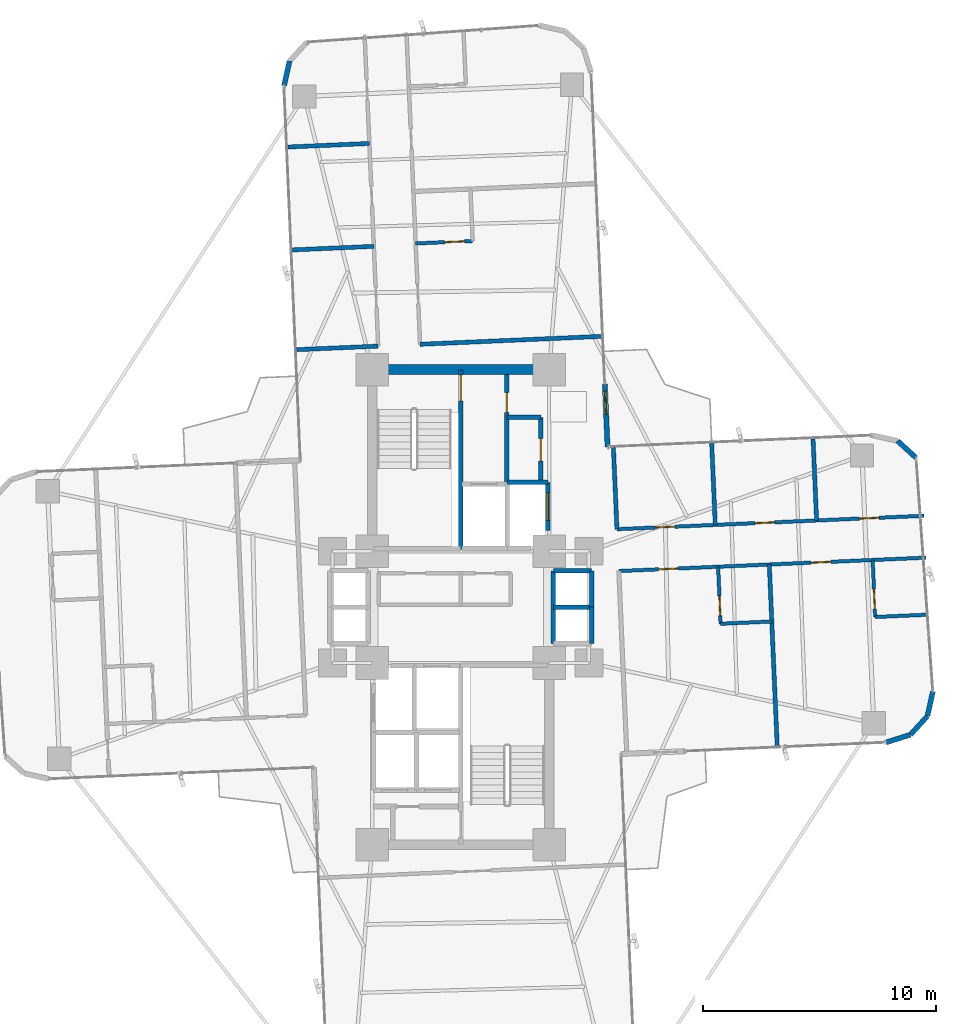
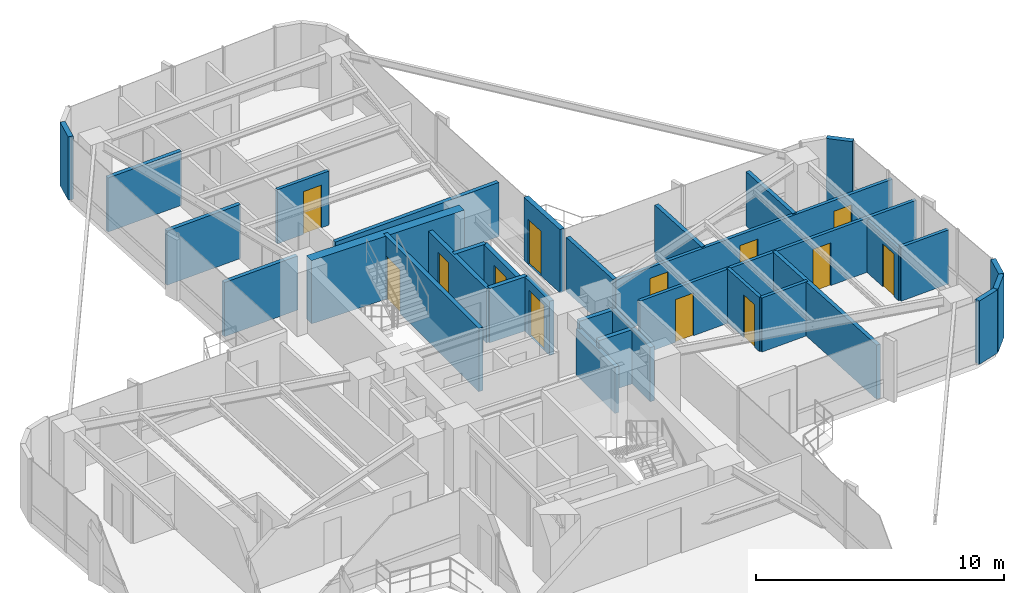
# One storey, part 24 of 26: 33 walls, 13 doors, 13 openings.
"""IFC4 building model written with IfcOpenShell, lengths in metres."""

from ifc_helpers import new_model, si_unit, direction, frame, frame_2d, origin, origin_2d, place, context, subcontext, project, spatial, rectangle, extrude, source, transform, mapped, material, layer, layer_set, type_object, element, fill, save


model = new_model("IFC4")

# Units and contexts
model_context = context("Model", 3, precision=1e-05, world=origin(), true_north=direction((0.0, 1.0)))
body_context = subcontext(model_context, "Body", "Model", "MODEL_VIEW")
ifc_project = project(units=[si_unit("LENGTHUNIT", "METRE"), si_unit("AREAUNIT", "SQUARE_METRE"), si_unit("VOLUMEUNIT", "CUBIC_METRE"), si_unit("PLANEANGLEUNIT", "RADIAN"), si_unit("MASSUNIT", "GRAM", prefix="KILO")], contexts=[model_context])

# Site, building, storey
site_placement = place(None, origin())
site = spatial("IfcSite", under=ifc_project, at=site_placement, CompositionType="ELEMENT")
building_placement = place(site_placement, origin())
building = spatial("IfcBuilding", under=site, at=building_placement, Name="Sahyath Konkavel Grand Hotel", CompositionType="ELEMENT")
storey_placement = place(building_placement, frame((0.0, 0.0, 83.5)))
storey = spatial("IfcBuildingStorey", under=building, at=storey_placement, Name="L22", CompositionType="ELEMENT", Elevation=83.5)

# Walls
ifc_material_1 = material(Name="Concrete C50/60", Category="concrete")
ifc_layer_1 = layer(ifc_material_1, 0.419921875)
ifc_layer_set_1 = layer_set([ifc_layer_1], Name="Concrete C50/60")
wall_type_1 = type_object("IfcWallType", Name="CWALL-420", PredefinedType="SHEAR", material=ifc_layer_set_1)
wall_1_placement = place(storey_placement, frame((-3.550048828125, 10.199951171875, 0.0), z_axis=(0.0, 0.0, 1.0), x_axis=(1.0, 0.0, 0.0)))
element("IfcWall", 1, at=wall_1_placement, inside=storey, type_object=wall_type_1, Name="L22 North Core Shear Wall N", PredefinedType="SHEAR", context=body_context, shape_type="SweptSolid", body=[
    extrude(rectangle(XDim=7.10009765625, YDim=0.419921875, at=frame_2d((3.550048828125, 0.0))), origin(), (0.0, 0.0, 1.0), 3.110107421875),
])
ifc_material_2 = material(Name="Warm Buff Sandstone Insulated Concrete C40/50", Category="masonry")
ifc_layer_2 = layer(ifc_material_2, 0.219970703125)
ifc_layer_set_2 = layer_set([ifc_layer_2], Name="Warm Buff Sandstone Insulated Concrete C40/50")
wall_type_2 = type_object("IfcWallType", Name="WLL-BALC-THRESH", PredefinedType="STANDARD", material=ifc_layer_set_2)
for number, where, z_axis, x_axis, name in (
    (2, (18.270751953125, -5.80859375, 0.0), (0.0, 0.0, 1.0), (0.953721713582, 0.30069069331, 0.0), "L22 Rounded Corner Sandstone Pier 1"),
    (3, (19.3076171875, -5.481689453125, 0.0), (0.0, 0.0, 1.0), (0.675551721847, 0.737312600672, 0.0), "L22 Rounded Corner Sandstone Pier 2"),
):
    element("IfcWall", number, at=place(storey_placement, frame(where, z_axis=z_axis, x_axis=x_axis)), inside=storey, type_object=wall_type_2, Name=name, PredefinedType="STANDARD", context=body_context, shape_type="SweptSolid", body=[
        extrude(rectangle(XDim=1.087158203125, YDim=0.219970703125, at=frame_2d((0.54345703125, 0.0))), origin(), (0.0, 0.0, 1.0), 3.110107421875),
    ])
for number, where, z_axis, x_axis, name in (
    (4, (20.0419921875, -4.68017578125, 0.0), (0.0, 0.0, 1.0), (0.216288323511, 0.976329535102, 0.0), "L22 Rounded Corner Sandstone Pier 3"),
    (5, (19.5576171875, 6.4091796875, 0.0), (0.0, 0.0, 1.0), (-0.737210081318, 0.675663596772, 0.0), "L22 Rounded Corner Sandstone Pier 5"),
):
    element("IfcWall", number, at=place(storey_placement, frame(where, z_axis=z_axis, x_axis=x_axis)), inside=storey, type_object=wall_type_2, Name=name, PredefinedType="STANDARD", context=body_context, shape_type="SweptSolid", body=[
        extrude(rectangle(XDim=1.0869140625, YDim=0.219970703125, at=frame_2d((0.54345703125, 0.0))), origin(), (0.0, 0.0, 1.0), 3.110107421875),
    ])

# Wall, opening, door
wall_2_placement = place(storey_placement, frame((6.305908203125, 6.881591796875, 0.0), z_axis=(0.0, 0.0, 1.0), x_axis=(-0.043672655174, 0.999045894436, 0.0)))
wall_2 = element("IfcWall", 6, at=wall_2_placement, inside=storey, type_object=wall_type_2, Name="L22 Winter-Garden Threshold Wall 8", PredefinedType="STANDARD", context=body_context, shape_type="SweptSolid", body=[
    extrude(rectangle(XDim=2.7001953125, YDim=0.219970703125, at=frame_2d((1.35009765625, 0.0))), origin(), (0.0, 0.0, 1.0), 3.110107421875),
])
opening_1_placement = place(wall_2_placement, frame((1.39990234375, 0.0, 0.0)))
opening_1 = element("IfcOpeningElement", 7, at=opening_1_placement, cuts=wall_2, Name="Opening D-TR1", PredefinedType="OPENING", context=body_context, shape_type="SweptSolid", body=[
    extrude(rectangle(XDim=1.0, YDim=2.199951171875, at=frame_2d((0.5, 1.10009765625))), frame((0.0, 0.1201171875, 0.0), z_axis=(0.0, -1.0, 0.0), x_axis=(1.0, 0.0, 0.0)), (0.0, 0.0, 1.0), 0.239990234375),
])
ifc_material_3 = material(Name="Anodised Bronze Aluminium & Low-E Glazing", Category="aluminium")
door_type_1 = type_object("IfcDoorType", Name="DR-TERRACE-1000", OperationType="NOTDEFINED", PredefinedType="DOOR", material=ifc_material_3)
shared_shape_1 = source(origin(), body_context, "Body", "SweptSolid", [
    extrude(rectangle(XDim=1.0, YDim=0.050048828125, at=origin_2d()), origin(), (0.0, 0.0, 1.0), 2.199951171875),
])
door_1_placement = place(opening_1_placement, frame((0.5, 0.0, 0.0)))
door_1 = element("IfcDoor", 8, at=door_1_placement, inside=storey, type_object=door_type_1, Name="L22 Winter-Garden Terrace Door 8", OperationType="SINGLE_SWING_LEFT", OverallHeight=2.199951171875, OverallWidth=1.0, PredefinedType="DOOR", context=body_context, shape_type="MappedRepresentation", body=[
    mapped(shared_shape_1, transform((0.0, 0.0, 0.0), scale=1.0)),
])
fill(opening_1, door_1)

# Wall
wall_3_placement = place(storey_placement, frame((-7.3486328125, 23.451904296875, 0.0), z_axis=(0.0, 0.0, 1.0), x_axis=(-0.216454939174, -0.976292609471, 0.0)))
element("IfcWall", 9, at=wall_3_placement, inside=storey, type_object=wall_type_2, Name="L22 Rounded Corner Sandstone Pier 14", PredefinedType="STANDARD", context=body_context, shape_type="SweptSolid", body=[
    extrude(rectangle(XDim=1.08740234375, YDim=0.219970703125, at=frame_2d((0.543701171875, 0.0))), origin(), (0.0, 0.0, 1.0), 3.110107421875),
])

# Wall, opening, door
ifc_material_4 = material(Name="Concrete C40/50", Category="concrete")
ifc_layer_3 = layer(ifc_material_4, 0.199951171875)
ifc_layer_set_3 = layer_set([ifc_layer_3], Name="Concrete C40/50")
wall_type_3 = type_object("IfcWallType", Name="WLL-CORE-200", PredefinedType="SOLIDWALL", material=ifc_layer_set_3)
wall_4_placement = place(storey_placement, frame((0.0, 2.5, 0.0), z_axis=(0.0, 0.0, 1.0), x_axis=(0.0, 1.0, 0.0)))
wall_4 = element("IfcWall", 10, at=wall_4_placement, inside=storey, type_object=wall_type_3, Name="L22 Stair ST-1 Shaft Wall E", PredefinedType="SOLIDWALL", context=body_context, shape_type="SweptSolid", body=[
    extrude(rectangle(XDim=7.679931640625, YDim=0.199951171875, at=frame_2d((3.83984375, 0.0))), origin(), (0.0, 0.0, 1.0), 3.110107421875),
])
opening_2_placement = place(wall_4_placement, frame((6.360107421875, 0.0, 0.0)))
opening_2 = element("IfcOpeningElement", 11, at=opening_2_placement, cuts=wall_4, Name="Opening D-F12B", PredefinedType="OPENING", context=body_context, shape_type="SweptSolid", body=[
    extrude(rectangle(XDim=1.10009765625, YDim=2.14990234375, at=frame_2d((0.550048828125, 1.074951171875))), frame((0.0, 0.10986328125, 0.0), z_axis=(0.0, -1.0, 0.0), x_axis=(1.0, 0.0, 0.0)), (0.0, 0.0, 1.0), 0.219970703125),
])
ifc_material_5 = material(Name="Steel E350 Smokeproof Fire Door", Category="steel")
door_type_2 = type_object("IfcDoorType", Name="DR-FD120-1100", OperationType="NOTDEFINED", PredefinedType="DOOR", material=ifc_material_5)
shared_shape_2 = source(origin(), body_context, "Body", "SweptSolid", [
    extrude(rectangle(XDim=1.10009765625, YDim=0.050048828125, at=origin_2d()), origin(), (0.0, 0.0, 1.0), 2.14990234375),
])
door_2_placement = place(opening_2_placement, frame((0.550048828125, 0.0, 0.0)))
door_2 = element("IfcDoor", 12, at=door_2_placement, inside=storey, type_object=door_type_2, Name="L22 Stair ST-1 Fire Door", OperationType="SINGLE_SWING_RIGHT", OverallHeight=2.14990234375, OverallWidth=1.10009765625, PredefinedType="DOOR", context=body_context, shape_type="MappedRepresentation", body=[
    mapped(shared_shape_2, transform((0.0, 0.0, 0.0), scale=1.0)),
])
fill(opening_2, door_2)

wall_5_placement = place(storey_placement, frame((1.97998046875, 5.320068359375, 0.0), z_axis=(0.0, 0.0, 1.0), x_axis=(0.0, 1.0, 0.0)))
wall_5 = element("IfcWall", 13, at=wall_5_placement, inside=storey, type_object=wall_type_3, Name="L22 North Firefighting Lobby Wall E", PredefinedType="SOLIDWALL", context=body_context, shape_type="SweptSolid", body=[
    extrude(rectangle(XDim=4.659912109375, YDim=0.199951171875, at=frame_2d((2.330078125, 0.0))), origin(), (0.0, 0.0, 1.0), 2.659912109375),
])
opening_3_placement = place(wall_5_placement, frame((3.0400390625, 0.0, 0.0)))
opening_3 = element("IfcOpeningElement", 14, at=opening_3_placement, cuts=wall_5, Name="Opening D-F12D", PredefinedType="OPENING", context=body_context, shape_type="SweptSolid", body=[
    extrude(rectangle(XDim=0.85009765625, YDim=2.10009765625, at=frame_2d((0.425048828125, 1.050048828125))), frame((0.0, 0.10986328125, 0.0), z_axis=(0.0, -1.0, 0.0), x_axis=(1.0, 0.0, 0.0)), (0.0, 0.0, 1.0), 0.219970703125),
])
ifc_material_6 = material(Name="Steel E350 Core Fire Door", Category="steel")
door_type_3 = type_object("IfcDoorType", Name="DR-FD120-850", OperationType="NOTDEFINED", PredefinedType="DOOR", material=ifc_material_6)
shared_shape_3 = source(origin(), body_context, "Body", "SweptSolid", [
    extrude(rectangle(XDim=0.85009765625, YDim=0.050048828125, at=origin_2d()), origin(), (0.0, 0.0, 1.0), 2.10009765625),
])
door_3_placement = place(opening_3_placement, frame((0.425048828125, 0.0, 0.0)))
door_3 = element("IfcDoor", 15, at=door_3_placement, inside=storey, type_object=door_type_3, Name="L22 North Firefighting Lobby Door", OperationType="SINGLE_SWING_RIGHT", OverallHeight=2.10009765625, OverallWidth=0.85009765625, PredefinedType="DOOR", context=body_context, shape_type="MappedRepresentation", body=[
    mapped(shared_shape_3, transform((0.0, 0.0, 0.0), scale=1.0)),
])
fill(opening_3, door_3)

# Wall
wall_6_placement = place(storey_placement, frame((2.0, 5.360107421875, 0.0), z_axis=(0.0, 0.0, 1.0), x_axis=(1.0, 0.0, 0.0)))
element("IfcWall", 16, at=wall_6_placement, inside=storey, type_object=wall_type_3, Name="L22 Partition SH-SVL1-N", PredefinedType="SOLIDWALL", context=body_context, shape_type="SweptSolid", body=[
    extrude(rectangle(XDim=1.739990234375, YDim=0.199951171875, at=frame_2d((0.8701171875, 0.0))), origin(), (0.0, 0.0, 1.0), 2.659912109375),
])

# Wall, opening, door
wall_7_placement = place(storey_placement, frame((3.739990234375, 3.280029296875, 0.0), z_axis=(0.0, 0.0, 1.0), x_axis=(0.0, 1.0, 0.0)))
wall_7 = element("IfcWall", 17, at=wall_7_placement, inside=storey, type_object=wall_type_3, Name="L22 Partition SH-SVL1-E", PredefinedType="SOLIDWALL", context=body_context, shape_type="SweptSolid", body=[
    extrude(rectangle(XDim=2.080078125, YDim=0.199951171875, at=frame_2d((1.0400390625, 0.0))), origin(), (0.0, 0.0, 1.0), 2.659912109375),
])
opening_4_placement = place(wall_7_placement, frame((0.43994140625, 0.0, 0.0)))
opening_4 = element("IfcOpeningElement", 18, at=opening_4_placement, cuts=wall_7, Name="Opening LD-12", PredefinedType="OPENING", context=body_context, shape_type="SweptSolid", body=[
    extrude(rectangle(XDim=1.199951171875, YDim=2.199951171875, at=frame_2d((0.60009765625, 1.10009765625))), frame((0.0, 0.10986328125, 0.0), z_axis=(0.0, -1.0, 0.0), x_axis=(1.0, 0.0, 0.0)), (0.0, 0.0, 1.0), 0.219970703125),
])
ifc_material_7 = material(Name="Stainless Steel Lift Landing Door 1200", Category="steel")
door_type_4 = type_object("IfcDoorType", Name="DR-LIFT-1200", OperationType="DOUBLE_DOOR_SLIDING", PredefinedType="DOOR", material=ifc_material_7)
shared_shape_4 = source(origin(), body_context, "Body", "SweptSolid", [
    extrude(rectangle(XDim=1.199951171875, YDim=0.050048828125, at=origin_2d()), origin(), (0.0, 0.0, 1.0), 2.199951171875),
])
door_4_placement = place(opening_4_placement, frame((0.60009765625, 0.0, 0.0)))
door_4 = element("IfcDoor", 19, at=door_4_placement, inside=storey, type_object=door_type_4, Name="L22 Service Lift SVL-1 Landing Door", OperationType="DOUBLE_DOOR_SLIDING", OverallHeight=2.199951171875, OverallWidth=1.199951171875, PredefinedType="DOOR", context=body_context, shape_type="MappedRepresentation", body=[
    mapped(shared_shape_4, transform((0.0, 0.0, 0.0), scale=1.0)),
])
fill(opening_4, door_4)

# Walls
wall_8_placement = place(storey_placement, frame((3.97998046875, -1.56005859375, 0.0), z_axis=(0.0, 0.0, 1.0), x_axis=(0.0, 1.0, 0.0)))
element("IfcWall", 20, at=wall_8_placement, inside=storey, type_object=wall_type_3, Name="L22 Partition SH-PL56-W", PredefinedType="SOLIDWALL", context=body_context, shape_type="SweptSolid", body=[
    extrude(rectangle(XDim=3.1201171875, YDim=0.199951171875, at=frame_2d((1.56005859375, 0.0))), origin(), (0.0, 0.0, 1.0), 2.280029296875),
])
for number, where, z_axis, x_axis, name in (
    (21, (3.97998046875, 1.56005859375, 0.0), (0.0, 0.0, 1.0), (1.0, 0.0, 0.0), "L22 Partition SH-PL56-N"),
    (22, (3.97998046875, 0.0, 0.0), (0.0, 0.0, 1.0), (1.0, 0.0, 0.0), "L22 Partition SH-PL56-M"),
):
    element("IfcWall", number, at=place(storey_placement, frame(where, z_axis=z_axis, x_axis=x_axis)), inside=storey, type_object=wall_type_3, Name=name, PredefinedType="SOLIDWALL", context=body_context, shape_type="SweptSolid", body=[
        extrude(rectangle(XDim=1.64013671875, YDim=0.199951171875, at=frame_2d((0.820068359375, 0.0))), origin(), (0.0, 0.0, 1.0), 2.659912109375),
    ])
for number, where, z_axis, x_axis, name in (
    (23, (5.6201171875, 0.0, 0.0), (0.0, 0.0, 1.0), (0.0, 1.0, 0.0), "L22 Partition SH-PL5-E"),
    (24, (5.6201171875, -1.56005859375, 0.0), (0.0, 0.0, 1.0), (0.0, 1.0, 0.0), "L22 Partition SH-PL6-E"),
):
    element("IfcWall", number, at=place(storey_placement, frame(where, z_axis=z_axis, x_axis=x_axis)), inside=storey, type_object=wall_type_3, Name=name, PredefinedType="SOLIDWALL", context=body_context, shape_type="SweptSolid", body=[
        extrude(rectangle(XDim=1.56005859375, YDim=0.199951171875, at=frame_2d((0.780029296875, 0.0))), origin(), (0.0, 0.0, 1.0), 2.659912109375),
    ])

# Wall, opening, door
wall_9_placement = place(storey_placement, frame((3.43994140625, 5.3798828125, 0.0), z_axis=(0.0, 0.0, 1.0), x_axis=(0.0, 1.0, 0.0)))
wall_9 = element("IfcWall", 25, at=wall_9_placement, inside=storey, type_object=wall_type_3, Name="L22 Reclaimed North Core Wall E", PredefinedType="SOLIDWALL", context=body_context, shape_type="SweptSolid", body=[
    extrude(rectangle(XDim=2.77001953125, YDim=0.199951171875, at=frame_2d((1.385009765625, 0.0))), origin(), (0.0, 0.0, 1.0), 2.659912109375),
])
opening_5_placement = place(wall_9_placement, frame((0.89990234375, 0.0, 0.0)))
opening_5 = element("IfcOpeningElement", 26, at=opening_5_placement, cuts=wall_9, Name="Opening D-F06B", PredefinedType="OPENING", context=body_context, shape_type="SweptSolid", body=[
    extrude(rectangle(XDim=0.949951171875, YDim=2.14990234375, at=frame_2d((0.47509765625, 1.074951171875))), frame((0.0, 0.10986328125, 0.0), z_axis=(0.0, -1.0, 0.0), x_axis=(1.0, 0.0, 0.0)), (0.0, 0.0, 1.0), 0.219970703125),
])
ifc_material_8 = material(Name="Teak Veneer Fire-Rated Guest Entrance Door")
door_type_5 = type_object("IfcDoorType", Name="DR-FD60-950", OperationType="NOTDEFINED", PredefinedType="DOOR", material=ifc_material_8)
shared_shape_5 = source(origin(), body_context, "Body", "SweptSolid", [
    extrude(rectangle(XDim=0.949951171875, YDim=0.050048828125, at=origin_2d()), origin(), (0.0, 0.0, 1.0), 2.14990234375),
])
door_5_placement = place(opening_5_placement, frame((0.47509765625, 0.0, 0.0)))
door_5 = element("IfcDoor", 27, at=door_5_placement, inside=storey, type_object=door_type_5, Name="L22 Door NC-REC1-D", OperationType="SINGLE_SWING_LEFT", OverallHeight=2.14990234375, OverallWidth=0.949951171875, PredefinedType="DOOR", context=body_context, shape_type="MappedRepresentation", body=[
    mapped(shared_shape_5, transform((0.0, 0.0, 0.0), scale=1.0)),
])
fill(opening_5, door_5)

# Walls
wall_10_placement = place(storey_placement, frame((1.97998046875, 8.14990234375, 0.0), z_axis=(0.0, 0.0, 1.0), x_axis=(1.0, 0.0, 0.0)))
element("IfcWall", 28, at=wall_10_placement, inside=storey, type_object=wall_type_3, Name="L22 Partition NC-REC-N", PredefinedType="SOLIDWALL", context=body_context, shape_type="SweptSolid", body=[
    extrude(rectangle(XDim=1.4599609375, YDim=0.199951171875, at=frame_2d((0.72998046875, 0.0))), origin(), (0.0, 0.0, 1.0), 2.659912109375),
])
ifc_material_9 = material(Name="Twin-Stud Acoustic Gypsum Plasterboard Partition")
ifc_layer_4 = layer(ifc_material_9, 0.179931640625)
ifc_layer_set_4 = layer_set([ifc_layer_4], Name="Twin-Stud Acoustic Gypsum Plasterboard Partition")
wall_type_4 = type_object("IfcWallType", Name="WLL-DEMISE-180", PredefinedType="PARTITIONING", material=ifc_layer_set_4)
wall_11_placement = place(storey_placement, frame((6.71044921875, 3.345947265625, 0.0), z_axis=(0.0, 0.0, 1.0), x_axis=(-0.043597663116, 0.999049169846, 0.0)))
element("IfcWall", 29, at=wall_11_placement, inside=storey, type_object=wall_type_4, Name="L22 Partition E-INL", PredefinedType="PARTITIONING", context=body_context, shape_type="SweptSolid", body=[
    extrude(rectangle(XDim=3.5, YDim=0.179931640625, at=frame_2d((1.75, 0.0))), origin(), (0.0, 0.0, 1.0), 2.659912109375),
])
wall_12_placement = place(storey_placement, frame((10.930419921875, 3.530029296875, 0.0), z_axis=(0.0, 0.0, 1.0), x_axis=(-0.04359462501, 0.999049302422, 0.0)))
element("IfcWall", 30, at=wall_12_placement, inside=storey, type_object=wall_type_4, Name="L22 Partition E-E1L-DEM", PredefinedType="PARTITIONING", context=body_context, shape_type="SweptSolid", body=[
    extrude(rectangle(XDim=3.500244140625, YDim=0.179931640625, at=frame_2d((1.75, 0.0))), origin(), (0.0, 0.0, 1.0), 2.659912109375),
])
wall_13_placement = place(storey_placement, frame((15.2822265625, 3.72021484375, 0.0), z_axis=(0.0, 0.0, 1.0), x_axis=(-0.043597663116, 0.999049169846, 0.0)))
element("IfcWall", 31, at=wall_13_placement, inside=storey, type_object=wall_type_4, Name="L22 Partition E-E2L-DEM", PredefinedType="PARTITIONING", context=body_context, shape_type="SweptSolid", body=[
    extrude(rectangle(XDim=3.5, YDim=0.179931640625, at=frame_2d((1.75, 0.0))), origin(), (0.0, 0.0, 1.0), 2.659912109375),
])
wall_14_placement = place(storey_placement, frame((13.250732421875, 1.82958984375, 0.0), z_axis=(0.0, 0.0, 1.0), x_axis=(0.043632821702, -0.999047634936, 0.0)))
element("IfcWall", 32, at=wall_14_placement, inside=storey, type_object=wall_type_4, Name="L22 Partition E-E1R-DEM", PredefinedType="PARTITIONING", context=body_context, shape_type="SweptSolid", body=[
    extrude(rectangle(XDim=7.7998046875, YDim=0.179931640625, at=frame_2d((3.89990234375, 0.0))), origin(), (0.0, 0.0, 1.0), 2.659912109375),
])
wall_15_placement = place(storey_placement, frame((-3.542236328125, 11.206298828125, 0.0), z_axis=(0.0, 0.0, 1.0), x_axis=(-0.999046129111, -0.04366728647, 0.0)))
element("IfcWall", 33, at=wall_15_placement, inside=storey, type_object=wall_type_4, Name="L22 Partition N-INL", PredefinedType="PARTITIONING", context=body_context, shape_type="SweptSolid", body=[
    extrude(rectangle(XDim=3.5, YDim=0.179931640625, at=frame_2d((1.75, 0.0))), origin(), (0.0, 0.0, 1.0), 2.659912109375),
])
wall_16_placement = place(storey_placement, frame((6.048583984375, 11.625, 0.0), z_axis=(0.0, 0.0, 1.0), x_axis=(-0.999047634936, -0.043632821702, 0.0)))
element("IfcWall", 34, at=wall_16_placement, inside=storey, type_object=wall_type_4, Name="L22 Partition N-INR", PredefinedType="PARTITIONING", context=body_context, shape_type="SweptSolid", body=[
    extrude(rectangle(XDim=7.7998046875, YDim=0.179931640625, at=frame_2d((3.89990234375, 0.0))), origin(), (0.0, 0.0, 1.0), 2.659912109375),
])
for number, where, z_axis, x_axis, name in (
    (35, (-3.729248046875, 15.489990234375, 0.0), (0.0, 0.0, 1.0), (-0.999049169846, -0.043597663116, 0.0), "L22 Partition N-N1L-DEM"),
    (36, (-3.922119140625, 19.907958984375, 0.0), (0.0, 0.0, 1.0), (-0.999046129111, -0.04366728647, 0.0), "L22 Partition N-N2L-DEM"),
):
    element("IfcWall", number, at=place(storey_placement, frame(where, z_axis=z_axis, x_axis=x_axis)), inside=storey, type_object=wall_type_4, Name=name, PredefinedType="PARTITIONING", context=body_context, shape_type="SweptSolid", body=[
        extrude(rectangle(XDim=3.5, YDim=0.179931640625, at=frame_2d((1.75, 0.0))), origin(), (0.0, 0.0, 1.0), 2.659912109375),
    ])

# Wall, openings, doors
ifc_material_10 = material(Name="Fire-Rated Gypsum Plasterboard Partition")
ifc_layer_5 = layer(ifc_material_10, 0.14990234375)
ifc_layer_set_5 = layer_set([ifc_layer_5], Name="Fire-Rated Gypsum Plasterboard Partition")
wall_type_5 = type_object("IfcWallType", Name="WLL-PART-150", PredefinedType="PARTITIONING", material=ifc_layer_set_5)
wall_17_placement = place(storey_placement, frame((6.71044921875, 3.345947265625, 0.0), z_axis=(0.0, 0.0, 1.0), x_axis=(0.999048535483, 0.04361219725, 0.0)))
wall_17 = element("IfcWall", 37, at=wall_17_placement, inside=storey, type_object=wall_type_5, Name="L22 Partition E-CL", PredefinedType="PARTITIONING", context=body_context, shape_type="SweptSolid", body=[
    extrude(rectangle(XDim=13.199951171875, YDim=0.14990234375, at=frame_2d((6.60009765625, 0.0))), origin(), (0.0, 0.0, 1.0), 2.6298828125),
])
opening_6_placement = place(wall_17_placement, frame((1.636962890625, 0.0, 0.0)))
opening_6 = element("IfcOpeningElement", 38, at=opening_6_placement, cuts=wall_17, Name="Opening D-F06D", PredefinedType="OPENING", context=body_context, shape_type="SweptSolid", body=[
    extrude(rectangle(XDim=0.85009765625, YDim=2.10009765625, at=frame_2d((0.425048828125, 1.050048828125))), frame((0.0, 0.0849609375, 0.0), z_axis=(0.0, -1.0, 0.0), x_axis=(1.0, 0.0, 0.0)), (0.0, 0.0, 1.0), 0.169921875),
])
opening_7_placement = place(wall_17_placement, frame((5.927001953125, 0.0, 0.0)))
opening_7 = element("IfcOpeningElement", 39, at=opening_7_placement, cuts=wall_17, Name="Opening D-F06D", PredefinedType="OPENING", context=body_context, shape_type="SweptSolid", body=[
    extrude(rectangle(XDim=0.85009765625, YDim=2.10009765625, at=frame_2d((0.425048828125, 1.050048828125))), frame((0.0, 0.0849609375, 0.0), z_axis=(0.0, -1.0, 0.0), x_axis=(1.0, 0.0, 0.0)), (0.0, 0.0, 1.0), 0.169921875),
])
opening_8_placement = place(wall_17_placement, frame((10.4150390625, 0.0, 0.0)))
opening_8 = element("IfcOpeningElement", 40, at=opening_8_placement, cuts=wall_17, Name="Opening D-F06D", PredefinedType="OPENING", context=body_context, shape_type="SweptSolid", body=[
    extrude(rectangle(XDim=0.85009765625, YDim=2.10009765625, at=frame_2d((0.425048828125, 1.050048828125))), frame((0.0, 0.0849609375, 0.0), z_axis=(0.0, -1.0, 0.0), x_axis=(1.0, 0.0, 0.0)), (0.0, 0.0, 1.0), 0.169921875),
])
ifc_material_11 = material(Name="Fire-Rated Shaft Access Door")
door_type_6 = type_object("IfcDoorType", Name="DR-FD60-850", OperationType="NOTDEFINED", PredefinedType="DOOR", material=ifc_material_11)
door_6_placement = place(opening_6_placement, frame((0.425048828125, 0.0, 0.0)))
door_6 = element("IfcDoor", 41, at=door_6_placement, inside=storey, type_object=door_type_6, Name="L22 Door E-E1L-D", OperationType="SINGLE_SWING_RIGHT", OverallHeight=2.10009765625, OverallWidth=0.85009765625, PredefinedType="DOOR", context=body_context, shape_type="MappedRepresentation", body=[
    mapped(shared_shape_3, transform((0.0, 0.0, 0.0), scale=1.0)),
])
fill(opening_6, door_6)
door_7_placement = place(opening_7_placement, frame((0.425048828125, 0.0, 0.0)))
door_7 = element("IfcDoor", 42, at=door_7_placement, inside=storey, type_object=door_type_6, Name="L22 Door E-E2L-D", OperationType="SINGLE_SWING_LEFT", OverallHeight=2.10009765625, OverallWidth=0.85009765625, PredefinedType="DOOR", context=body_context, shape_type="MappedRepresentation", body=[
    mapped(shared_shape_3, transform((0.0, 0.0, 0.0), scale=1.0)),
])
fill(opening_7, door_7)
door_8_placement = place(opening_8_placement, frame((0.425048828125, 0.0, 0.0)))
door_8 = element("IfcDoor", 43, at=door_8_placement, inside=storey, type_object=door_type_6, Name="L22 Door E-E3L-D", OperationType="SINGLE_SWING_RIGHT", OverallHeight=2.10009765625, OverallWidth=0.85009765625, PredefinedType="DOOR", context=body_context, shape_type="MappedRepresentation", body=[
    mapped(shared_shape_3, transform((0.0, 0.0, 0.0), scale=1.0)),
])
fill(opening_8, door_8)

wall_18_placement = place(storey_placement, frame((6.7890625, 1.547607421875, 0.0), z_axis=(0.0, 0.0, 1.0), x_axis=(0.999048500303, 0.043613003123, 0.0)))
wall_18 = element("IfcWall", 44, at=wall_18_placement, inside=storey, type_object=wall_type_5, Name="L22 Partition E-CR", PredefinedType="PARTITIONING", context=body_context, shape_type="SweptSolid", body=[
    extrude(rectangle(XDim=13.19970703125, YDim=0.14990234375, at=frame_2d((6.599853515625, 0.0))), origin(), (0.0, 0.0, 1.0), 2.659912109375),
])
opening_9_placement = place(wall_18_placement, frame((1.7099609375, 0.0, 0.0)))
opening_9 = element("IfcOpeningElement", 45, at=opening_9_placement, cuts=wall_18, Name="Opening D-F06D", PredefinedType="OPENING", context=body_context, shape_type="SweptSolid", body=[
    extrude(rectangle(XDim=0.85009765625, YDim=2.10009765625, at=frame_2d((0.425048828125, 1.050048828125))), frame((0.0, 0.0849609375, 0.0), z_axis=(0.0, -1.0, 0.0), x_axis=(1.0, 0.0, 0.0)), (0.0, 0.0, 1.0), 0.169921875),
])
opening_10_placement = place(wall_18_placement, frame((8.263916015625, 0.0, 0.0)))
opening_10 = element("IfcOpeningElement", 46, at=opening_10_placement, cuts=wall_18, Name="Opening D-F06D", PredefinedType="OPENING", context=body_context, shape_type="SweptSolid", body=[
    extrude(rectangle(XDim=0.85009765625, YDim=2.10009765625, at=frame_2d((0.425048828125, 1.050048828125))), frame((0.0, 0.0849609375, 0.0), z_axis=(0.0, -1.0, 0.0), x_axis=(1.0, 0.0, 0.0)), (0.0, 0.0, 1.0), 0.169921875),
])
door_9_placement = place(opening_9_placement, frame((0.425048828125, 0.0, 0.0)))
door_9 = element("IfcDoor", 47, at=door_9_placement, inside=storey, type_object=door_type_6, Name="L22 Door E-E1R-ED", OperationType="SINGLE_SWING_RIGHT", OverallHeight=2.10009765625, OverallWidth=0.85009765625, PredefinedType="DOOR", context=body_context, shape_type="MappedRepresentation", body=[
    mapped(shared_shape_3, transform((0.0, 0.0, 0.0), scale=1.0)),
])
fill(opening_9, door_9)
door_10_placement = place(opening_10_placement, frame((0.425048828125, 0.0, 0.0)))
door_10 = element("IfcDoor", 48, at=door_10_placement, inside=storey, type_object=door_type_6, Name="L22 Door E-E2R-ED", OperationType="SINGLE_SWING_RIGHT", OverallHeight=2.10009765625, OverallWidth=0.85009765625, PredefinedType="DOOR", context=body_context, shape_type="MappedRepresentation", body=[
    mapped(shared_shape_3, transform((0.0, 0.0, 0.0), scale=1.0)),
])
fill(opening_10, door_10)

# Wall, opening, door
wall_19_placement = place(storey_placement, frame((11.053955078125, 1.73388671875, 0.0), z_axis=(0.0, 0.0, 1.0), x_axis=(0.043644787072, -0.999047112283, 0.0)))
wall_19 = element("IfcWall", 49, at=wall_19_placement, inside=storey, type_object=wall_type_5, Name="L22 Partition E-E1R-BS", PredefinedType="PARTITIONING", context=body_context, shape_type="SweptSolid", body=[
    extrude(rectangle(XDim=2.4501953125, YDim=0.14990234375, at=frame_2d((1.22509765625, 0.0))), origin(), (0.0, 0.0, 1.0), 2.659912109375),
])
opening_11_placement = place(wall_19_placement, frame((1.25, 0.0, 0.0)))
opening_11 = element("IfcOpeningElement", 50, at=opening_11_placement, cuts=wall_19, Name="Opening D-BT85", PredefinedType="OPENING", context=body_context, shape_type="SweptSolid", body=[
    extrude(rectangle(XDim=0.85009765625, YDim=2.10009765625, at=frame_2d((0.425048828125, 1.050048828125))), frame((0.0, 0.0849609375, 0.0), z_axis=(0.0, -1.0, 0.0), x_axis=(1.0, 0.0, 0.0)), (0.0, 0.0, 1.0), 0.169921875),
])
ifc_material_12 = material(Name="Moisture-Resistant Teak Bathroom Door")
door_type_7 = type_object("IfcDoorType", Name="DR-BATH-850", OperationType="NOTDEFINED", PredefinedType="DOOR", material=ifc_material_12)
door_11_placement = place(opening_11_placement, frame((0.425048828125, 0.0, 0.0)))
door_11 = element("IfcDoor", 51, at=door_11_placement, inside=storey, type_object=door_type_7, Name="L22 Door E-E1R-BD", OperationType="SINGLE_SWING_LEFT", OverallHeight=2.10009765625, OverallWidth=0.85009765625, PredefinedType="DOOR", context=body_context, shape_type="MappedRepresentation", body=[
    mapped(shared_shape_3, transform((0.0, 0.0, 0.0), scale=1.0)),
])
fill(opening_11, door_11)

# Wall
wall_20_placement = place(storey_placement, frame((11.160888671875, -0.7138671875, 0.0), z_axis=(0.0, 0.0, 1.0), x_axis=(0.999047549714, 0.043634772954, 0.0)))
element("IfcWall", 52, at=wall_20_placement, inside=storey, type_object=wall_type_5, Name="L22 Partition E-E1R-BF", PredefinedType="PARTITIONING", context=body_context, shape_type="SweptSolid", body=[
    extrude(rectangle(XDim=2.198974609375, YDim=0.14990234375, at=frame_2d((1.099609375, 0.0))), origin(), (0.0, 0.0, 1.0), 2.659912109375),
])

# Wall, opening, door
wall_21_placement = place(storey_placement, frame((17.689697265625, 2.0234375, 0.0), z_axis=(0.0, 0.0, 1.0), x_axis=(0.043549666039, -0.999051263243, 0.0)))
wall_21 = element("IfcWall", 53, at=wall_21_placement, inside=storey, type_object=wall_type_5, Name="L22 Partition E-E2R-BS", PredefinedType="PARTITIONING", context=body_context, shape_type="SweptSolid", body=[
    extrude(rectangle(XDim=2.449951171875, YDim=0.14990234375, at=frame_2d((1.22509765625, 0.0))), origin(), (0.0, 0.0, 1.0), 2.580078125),
])
opening_12_placement = place(wall_21_placement, frame((1.25, 0.0, 0.0)))
opening_12 = element("IfcOpeningElement", 54, at=opening_12_placement, cuts=wall_21, Name="Opening D-BT85", PredefinedType="OPENING", context=body_context, shape_type="SweptSolid", body=[
    extrude(rectangle(XDim=0.85009765625, YDim=2.10009765625, at=frame_2d((0.425048828125, 1.050048828125))), frame((0.0, 0.0849609375, 0.0), z_axis=(0.0, -1.0, 0.0), x_axis=(1.0, 0.0, 0.0)), (0.0, 0.0, 1.0), 0.169921875),
])
door_12_placement = place(opening_12_placement, frame((0.425048828125, 0.0, 0.0)))
door_12 = element("IfcDoor", 55, at=door_12_placement, inside=storey, type_object=door_type_7, Name="L22 Door E-E2R-BD", OperationType="SINGLE_SWING_LEFT", OverallHeight=2.10009765625, OverallWidth=0.85009765625, PredefinedType="DOOR", context=body_context, shape_type="MappedRepresentation", body=[
    mapped(shared_shape_3, transform((0.0, 0.0, 0.0), scale=1.0)),
])
fill(opening_12, door_12)

# Wall
wall_22_placement = place(storey_placement, frame((17.79638671875, -0.424072265625, 0.0), z_axis=(0.0, 0.0, 1.0), x_axis=(0.99904809168, 0.043622362496, 0.0)))
element("IfcWall", 56, at=wall_22_placement, inside=storey, type_object=wall_type_5, Name="L22 Partition E-E2R-BF", PredefinedType="PARTITIONING", context=body_context, shape_type="SweptSolid", body=[
    extrude(rectangle(XDim=2.2890625, YDim=0.14990234375, at=frame_2d((1.14453125, 0.0))), origin(), (0.0, 0.0, 1.0), 2.659912109375),
])

# Wall, opening, door
wall_23_placement = place(storey_placement, frame((-1.932861328125, 15.614501953125, 0.0), z_axis=(0.0, 0.0, 1.0), x_axis=(0.999046922443, 0.043649132372, 0.0)))
wall_23 = element("IfcWall", 57, at=wall_23_placement, inside=storey, type_object=wall_type_5, Name="L22 Partition N-N1R-BS", PredefinedType="PARTITIONING", context=body_context, shape_type="SweptSolid", body=[
    extrude(rectangle(XDim=2.449951171875, YDim=0.14990234375, at=frame_2d((1.22509765625, 0.0))), origin(), (0.0, 0.0, 1.0), 2.659912109375),
])
opening_13_placement = place(wall_23_placement, frame((1.25, 0.0, 0.0)))
opening_13 = element("IfcOpeningElement", 58, at=opening_13_placement, cuts=wall_23, Name="Opening D-BT85", PredefinedType="OPENING", context=body_context, shape_type="SweptSolid", body=[
    extrude(rectangle(XDim=0.85009765625, YDim=2.10009765625, at=frame_2d((0.425048828125, 1.050048828125))), frame((0.0, 0.0849609375, 0.0), z_axis=(0.0, -1.0, 0.0), x_axis=(1.0, 0.0, 0.0)), (0.0, 0.0, 1.0), 0.169921875),
])
door_13_placement = place(opening_13_placement, frame((0.425048828125, 0.0, 0.0)))
door_13 = element("IfcDoor", 59, at=door_13_placement, inside=storey, type_object=door_type_7, Name="L22 Door N-N1R-BD", OperationType="SINGLE_SWING_RIGHT", OverallHeight=2.10009765625, OverallWidth=0.85009765625, PredefinedType="DOOR", context=body_context, shape_type="MappedRepresentation", body=[
    mapped(shared_shape_3, transform((0.0, 0.0, 0.0), scale=1.0)),
])
fill(opening_13, door_13)

save(model, "model.ifc")
